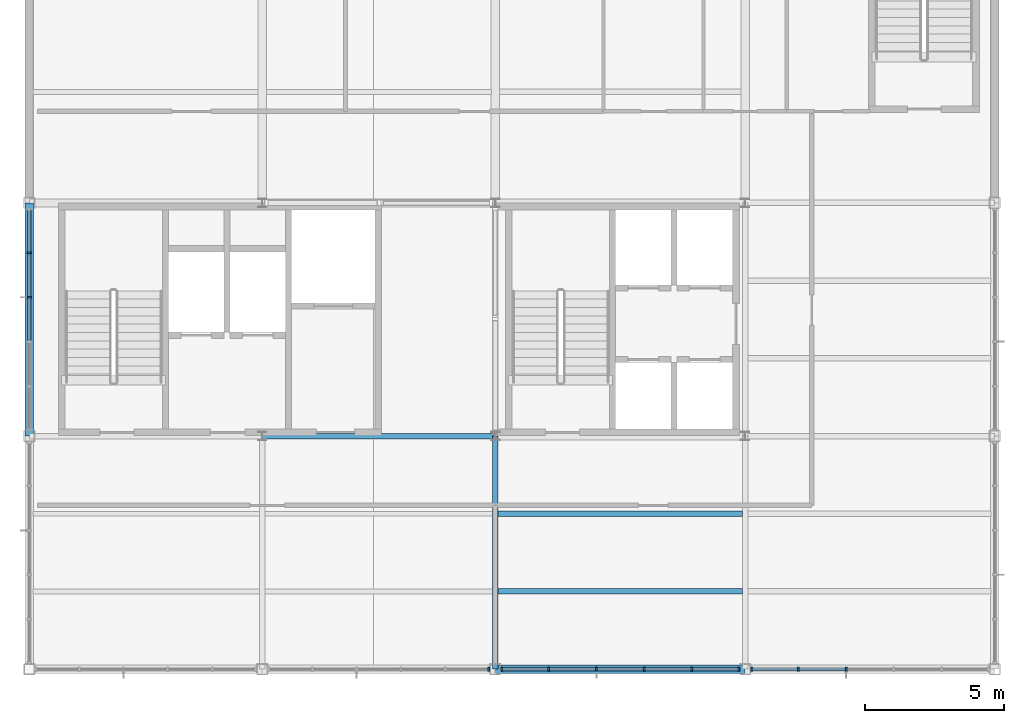
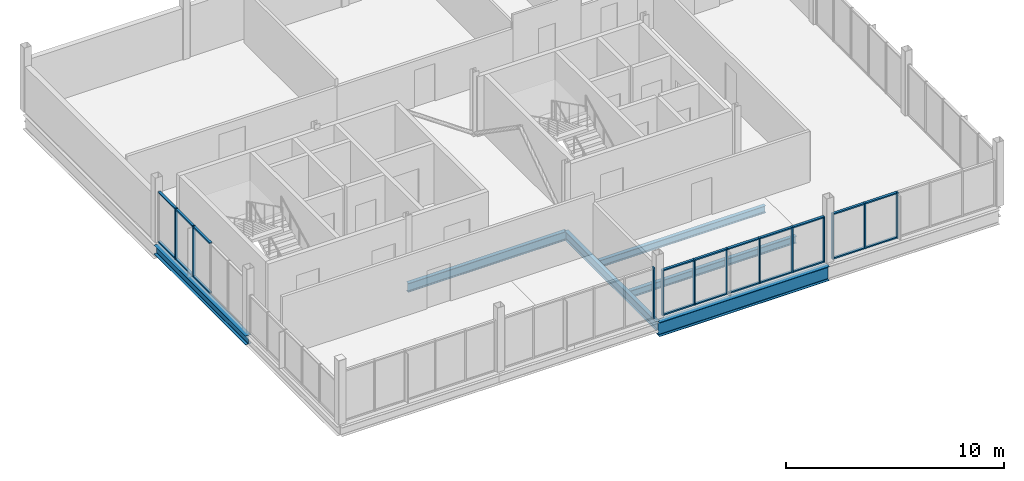
# One storey, part 5 of 15: 32 members, 6 beams, 4 elements without a shape of their own.
"""IFC4 building model written with IfcOpenShell, lengths in metres."""

from ifc_helpers import new_model, si_unit, direction, frame, origin, origin_2d, place, context, subcontext, project, spatial, rectangle, i_section, extrude, material, layer, layer_set, material_profile, profile_set, type_object, element, aggregate, save


model = new_model("IFC4")

# Units and contexts
model_context = context("Model", 3, precision=1e-05, world=origin(), true_north=direction((0.0, 1.0)))
body_context = subcontext(model_context, "Body", "Model", "MODEL_VIEW")
ifc_project = project(units=[si_unit("LENGTHUNIT", "METRE"), si_unit("AREAUNIT", "SQUARE_METRE"), si_unit("VOLUMEUNIT", "CUBIC_METRE"), si_unit("PLANEANGLEUNIT", "RADIAN"), si_unit("MASSUNIT", "GRAM", prefix="KILO")], contexts=[model_context])

# Site, building, storey
site_placement = place(None, origin())
site = spatial("IfcSite", under=ifc_project, at=site_placement, CompositionType="ELEMENT")
building_placement = place(site_placement, origin())
building = spatial("IfcBuilding", under=site, at=building_placement, Name="Yukiwa Park Conservatory and Herbarium", CompositionType="ELEMENT")
storey_placement = place(building_placement, frame((0.0, 0.0, 54.0)))
storey = spatial("IfcBuildingStorey", under=building, at=storey_placement, Name="L14", CompositionType="ELEMENT", Elevation=54.0)

# Beams
ifc_material_1 = material(Name="Steel Q355D", Category="steel")
ifc_material_profile_1 = material_profile(ifc_material_1, i_section(OverallWidth=0.198974609375, OverallDepth=0.49609375, WebThickness=0.009033203125, FlangeThickness=0.013916015625, FilletRadius=0.02001953125, at=origin_2d()), Name="HN 496x199x9x14")
ifc_profile_set_1 = profile_set([ifc_material_profile_1], Name="Steel Q355D")
beam_type_1 = type_object("IfcBeamType", Name="BM-GRD-HN496", PredefinedType="BEAM", material=ifc_profile_set_1)
beam_1_placement = place(storey_placement, frame((141.60595703125, 94.800048828125, -0.501953125), z_axis=(1.0, 0.0, 0.0), x_axis=(0.0, 1.0, 0.0)))
element("IfcBeam", 1, at=beam_1_placement, inside=storey, type_object=beam_type_1, Name="L14 grid beam X-6", PredefinedType="BEAM", context=body_context, shape_type="SweptSolid", body=[
    extrude(i_section(OverallWidth=0.198974609375, OverallDepth=0.49609375, WebThickness=0.009033203125, FlangeThickness=0.013916015625, FilletRadius=0.02001953125, at=origin_2d()), origin(), (0.0, 0.0, 1.0), 8.387939453125),
])
ifc_material_2 = material(Name="Steel Q355D", Category="steel")
ifc_material_profile_2 = material_profile(ifc_material_2, i_section(OverallWidth=0.199951171875, OverallDepth=0.5, WebThickness=0.010009765625, FlangeThickness=0.01611328125, FilletRadius=0.02001953125, at=origin_2d()), Name="HN 500x200x10x16")
ifc_profile_set_2 = profile_set([ifc_material_profile_2], Name="Steel Q355D")
beam_type_2 = type_object("IfcBeamType", Name="BM-GRD-HN500", PredefinedType="BEAM", material=ifc_profile_set_2)
beam_2_placement = place(storey_placement, frame((150.0, 86.406005859375, -0.50390625), z_axis=(0.0, 1.0, 0.0), x_axis=(-1.0, 0.0, 0.0)))
element("IfcBeam", 2, at=beam_2_placement, inside=storey, type_object=beam_type_2, Name="L14 grid girder Y-22", PredefinedType="BEAM", context=body_context, shape_type="SweptSolid", body=[
    extrude(i_section(OverallWidth=0.199951171875, OverallDepth=0.5, WebThickness=0.010009765625, FlangeThickness=0.01611328125, FilletRadius=0.02001953125, at=origin_2d()), origin(), (0.0, 0.0, 1.0), 8.387939453125),
])
ifc_material_3 = material(Name="Steel Q355D", Category="steel")
ifc_material_profile_3 = material_profile(ifc_material_3, i_section(OverallWidth=0.198974609375, OverallDepth=0.39599609375, WebThickness=0.007080078125, FlangeThickness=0.010986328125, FilletRadius=0.01611328125, at=origin_2d()), Name="HN 396x199x7x11")
ifc_profile_set_3 = profile_set([ifc_material_profile_3], Name="Steel Q355D")
beam_type_3 = type_object("IfcBeamType", Name="BM-JST-HN396", PredefinedType="JOIST", material=ifc_profile_set_3)
for number, where, z_axis, x_axis, name in (
    (3, (150.095947265625, 89.199951171875, -0.451904296875), (1.0, 0.0, 0.0), (0.0, 1.0, 0.0), "L14 composite floor joist 9"),
    (4, (150.095947265625, 92.0, -0.451904296875), (1.0, 0.0, 0.0), (0.0, 1.0, 0.0), "L14 composite floor joist 10"),
):
    element("IfcBeam", number, at=place(storey_placement, frame(where, z_axis=z_axis, x_axis=x_axis)), inside=storey, type_object=beam_type_3, Name=name, PredefinedType="JOIST", context=body_context, shape_type="SweptSolid", body=[
        extrude(i_section(OverallWidth=0.198974609375, OverallDepth=0.39599609375, WebThickness=0.007080078125, FlangeThickness=0.010986328125, FilletRadius=0.01611328125, at=origin_2d()), origin(), (0.0, 0.0, 1.0), 8.80810546875),
    ])
ifc_material_4 = material(Name="Steel Q355D", Category="steel")
ifc_material_profile_4 = material_profile(ifc_material_4, i_section(OverallWidth=0.300048828125, OverallDepth=0.5, WebThickness=0.010986328125, FlangeThickness=0.01806640625, FilletRadius=0.02392578125, at=origin_2d()), Name="HM 500x300x11x18")
ifc_profile_set_4 = profile_set([ifc_material_profile_4], Name="Steel Q355D")
beam_type_4 = type_object("IfcBeamType", Name="BM-SPN-HN500", PredefinedType="SPANDREL", material=ifc_profile_set_4)
beam_3_placement = place(storey_placement, frame((133.199951171875, 94.805908203125, -0.50390625), z_axis=(0.0, 1.0, 0.0), x_axis=(-1.0, 0.0, 0.0)))
element("IfcBeam", 5, at=beam_3_placement, inside=storey, type_object=beam_type_4, Name="L14 spandrel girder Y-18", PredefinedType="SPANDREL", context=body_context, shape_type="SweptSolid", body=[
    extrude(i_section(OverallWidth=0.300048828125, OverallDepth=0.5, WebThickness=0.010986328125, FlangeThickness=0.01806640625, FilletRadius=0.02392578125, at=origin_2d()), origin(), (0.0, 0.0, 1.0), 8.38818359375),
])
ifc_material_5 = material(Name="Steel Q355D", Category="steel")
ifc_material_profile_5 = material_profile(ifc_material_5, i_section(OverallWidth=0.300048828125, OverallDepth=0.7919921875, WebThickness=0.013916015625, FlangeThickness=0.02197265625, FilletRadius=0.028076171875, at=origin_2d()), Name="HN 792x300x14x22")
ifc_profile_set_5 = profile_set([ifc_material_profile_5], Name="Steel Q355D")
beam_type_5 = type_object("IfcBeamType", Name="BM-SPN-HN600", PredefinedType="SPANDREL", material=ifc_profile_set_5)
beam_4_placement = place(storey_placement, frame((150.006103515625, 86.39990234375, -0.64990234375), z_axis=(1.0, 0.0, 0.0), x_axis=(0.0, 1.0, 0.0)))
element("IfcBeam", 6, at=beam_4_placement, inside=storey, type_object=beam_type_5, Name="L14 spandrel beam X-3", PredefinedType="SPANDREL", context=body_context, shape_type="SweptSolid", body=[
    extrude(i_section(OverallWidth=0.300048828125, OverallDepth=0.7919921875, WebThickness=0.013916015625, FlangeThickness=0.02197265625, FilletRadius=0.028076171875, at=origin_2d()), origin(), (0.0, 0.0, 1.0), 8.98779296875),
])

# Curtain wall, members
ifc_material_6 = material(Name="Triple Low-E Insulated Glass", Category="glass")
ifc_layer = layer(ifc_material_6, 0.27197265625)
ifc_layer_set = layer_set([ifc_layer], Name="Triple Low-E Insulated Glass")
curtain_wall_type = type_object("IfcCurtainWallType", Name="CW-TOWER-LIB-1600", PredefinedType="NOTDEFINED", material=ifc_layer_set)
curtain_wall_1_placement = place(storey_placement, origin())
curtain_wall_1 = element("IfcCurtainWall", 7, at=curtain_wall_1_placement, inside=storey, type_object=curtain_wall_type, Name="L14 unitised curtain wall CW-L14-135", PredefinedType="NOTDEFINED")
ifc_material_7 = material(Name="Anodised Aluminium", Category="aluminium")
member_type_1 = type_object("IfcMemberType", Name="MB-CW-MUL-70X150", PredefinedType="MULLION", material=ifc_material_7)
member_1_placement = place(storey_placement, frame((133.199951171875, 101.39990234375, 0.0), z_axis=(0.0, 0.0, 1.0), x_axis=(0.0, -1.0, 0.0)))
member_1 = element("IfcMember", 8, at=member_1_placement, type_object=member_type_1, Name="CW-L14-135 mullion 2", PredefinedType="MULLION", context=body_context, shape_type="SweptSolid", body=[
    extrude(rectangle(XDim=0.070068359375, YDim=0.14990234375, at=origin_2d()), origin(), (0.0, 0.0, 1.0), 2.843994140625),
])
member_2_placement = place(storey_placement, frame((133.199951171875, 99.800048828125, 0.0), z_axis=(0.0, 0.0, 1.0), x_axis=(0.0, -1.0, 0.0)))
member_2 = element("IfcMember", 9, at=member_2_placement, type_object=member_type_1, Name="CW-L14-135 mullion 3", PredefinedType="MULLION", context=body_context, shape_type="SweptSolid", body=[
    extrude(rectangle(XDim=0.070068359375, YDim=0.14990234375, at=origin_2d()), origin(), (0.0, 0.0, 1.0), 2.843994140625),
])

# Curtain wall, member
curtain_wall_2_placement = place(storey_placement, origin())
curtain_wall_2 = element("IfcCurtainWall", 10, at=curtain_wall_2_placement, inside=storey, type_object=curtain_wall_type, Name="L14 unitised curtain wall CW-L14-138", PredefinedType="NOTDEFINED")
member_3_placement = place(storey_placement, frame((149.764892578125, 86.39990234375, 0.0), z_axis=(0.0, 0.0, 1.0), x_axis=(1.0, 0.0, 0.0)))
member_3 = element("IfcMember", 11, at=member_3_placement, type_object=member_type_1, Name="CW-L14-138 mullion 6", PredefinedType="MULLION", context=body_context, shape_type="SweptSolid", body=[
    extrude(rectangle(XDim=0.070068359375, YDim=0.14990234375, at=origin_2d()), origin(), (0.0, 0.0, 1.0), 2.843994140625),
])
aggregate(curtain_wall_2, [member_3])

# Curtain wall, members
curtain_wall_3_placement = place(storey_placement, origin())
curtain_wall_3 = element("IfcCurtainWall", 12, at=curtain_wall_3_placement, inside=storey, type_object=curtain_wall_type, Name="L14 unitised curtain wall CW-L14-139", PredefinedType="NOTDEFINED")
member_4_placement = place(storey_placement, frame((150.235107421875, 86.39990234375, 0.0), z_axis=(0.0, 0.0, 1.0), x_axis=(1.0, 0.0, 0.0)))
member_4 = element("IfcMember", 13, at=member_4_placement, type_object=member_type_1, Name="CW-L14-139 mullion 1", PredefinedType="MULLION", context=body_context, shape_type="SweptSolid", body=[
    extrude(rectangle(XDim=0.070068359375, YDim=0.14990234375, at=origin_2d()), origin(), (0.0, 0.0, 1.0), 2.552001953125),
])
member_5_placement = place(storey_placement, frame((151.919921875, 86.39990234375, 0.0), z_axis=(0.0, 0.0, 1.0), x_axis=(1.0, 0.0, 0.0)))
member_5 = element("IfcMember", 14, at=member_5_placement, type_object=member_type_1, Name="CW-L14-139 mullion 2", PredefinedType="MULLION", context=body_context, shape_type="SweptSolid", body=[
    extrude(rectangle(XDim=0.070068359375, YDim=0.14990234375, at=origin_2d()), origin(), (0.0, 0.0, 1.0), 2.552001953125),
])
member_6_placement = place(storey_placement, frame((153.639892578125, 86.39990234375, 0.0), z_axis=(0.0, 0.0, 1.0), x_axis=(1.0, 0.0, 0.0)))
member_6 = element("IfcMember", 15, at=member_6_placement, type_object=member_type_1, Name="CW-L14-139 mullion 3", PredefinedType="MULLION", context=body_context, shape_type="SweptSolid", body=[
    extrude(rectangle(XDim=0.070068359375, YDim=0.14990234375, at=origin_2d()), origin(), (0.0, 0.0, 1.0), 2.552001953125),
])
member_7_placement = place(storey_placement, frame((155.360107421875, 86.39990234375, 0.0), z_axis=(0.0, 0.0, 1.0), x_axis=(1.0, 0.0, 0.0)))
member_7 = element("IfcMember", 16, at=member_7_placement, type_object=member_type_1, Name="CW-L14-139 mullion 4", PredefinedType="MULLION", context=body_context, shape_type="SweptSolid", body=[
    extrude(rectangle(XDim=0.070068359375, YDim=0.14990234375, at=origin_2d()), origin(), (0.0, 0.0, 1.0), 2.552001953125),
])
member_8_placement = place(storey_placement, frame((157.080078125, 86.39990234375, 0.0), z_axis=(0.0, 0.0, 1.0), x_axis=(1.0, 0.0, 0.0)))
member_8 = element("IfcMember", 17, at=member_8_placement, type_object=member_type_1, Name="CW-L14-139 mullion 5", PredefinedType="MULLION", context=body_context, shape_type="SweptSolid", body=[
    extrude(rectangle(XDim=0.070068359375, YDim=0.14990234375, at=origin_2d()), origin(), (0.0, 0.0, 1.0), 2.552001953125),
])
member_9_placement = place(storey_placement, frame((158.764892578125, 86.39990234375, 0.0), z_axis=(0.0, 0.0, 1.0), x_axis=(1.0, 0.0, 0.0)))
member_9 = element("IfcMember", 18, at=member_9_placement, type_object=member_type_1, Name="CW-L14-139 mullion 6", PredefinedType="MULLION", context=body_context, shape_type="SweptSolid", body=[
    extrude(rectangle(XDim=0.070068359375, YDim=0.14990234375, at=origin_2d()), origin(), (0.0, 0.0, 1.0), 2.552001953125),
])

curtain_wall_4_placement = place(storey_placement, origin())
curtain_wall_4 = element("IfcCurtainWall", 19, at=curtain_wall_4_placement, inside=storey, type_object=curtain_wall_type, Name="L14 unitised curtain wall CW-L14-140", PredefinedType="NOTDEFINED")
member_10_placement = place(storey_placement, frame((159.235107421875, 86.39990234375, 0.0), z_axis=(0.0, 0.0, 1.0), x_axis=(1.0, 0.0, 0.0)))
member_10 = element("IfcMember", 20, at=member_10_placement, type_object=member_type_1, Name="CW-L14-140 mullion 1", PredefinedType="MULLION", context=body_context, shape_type="SweptSolid", body=[
    extrude(rectangle(XDim=0.070068359375, YDim=0.14990234375, at=origin_2d()), origin(), (0.0, 0.0, 1.0), 2.552001953125),
])
member_11_placement = place(storey_placement, frame((160.919921875, 86.39990234375, 0.0), z_axis=(0.0, 0.0, 1.0), x_axis=(1.0, 0.0, 0.0)))
member_11 = element("IfcMember", 21, at=member_11_placement, type_object=member_type_1, Name="CW-L14-140 mullion 2", PredefinedType="MULLION", context=body_context, shape_type="SweptSolid", body=[
    extrude(rectangle(XDim=0.070068359375, YDim=0.14990234375, at=origin_2d()), origin(), (0.0, 0.0, 1.0), 2.552001953125),
])
member_12_placement = place(storey_placement, frame((162.639892578125, 86.39990234375, 0.0), z_axis=(0.0, 0.0, 1.0), x_axis=(1.0, 0.0, 0.0)))
member_12 = element("IfcMember", 22, at=member_12_placement, type_object=member_type_1, Name="CW-L14-140 mullion 3", PredefinedType="MULLION", context=body_context, shape_type="SweptSolid", body=[
    extrude(rectangle(XDim=0.070068359375, YDim=0.14990234375, at=origin_2d()), origin(), (0.0, 0.0, 1.0), 2.552001953125),
])

# Member
ifc_material_8 = material(Name="Anodised Aluminium", Category="aluminium")
member_type_2 = type_object("IfcMemberType", Name="MB-CW-TRN-70X130", PredefinedType="USERDEFINED", material=ifc_material_8)
member_13_placement = place(storey_placement, frame((133.199951171875, 102.199951171875, 0.0), z_axis=(0.0, 0.0, 1.0), x_axis=(0.0, -1.0, 0.0)))
member_13 = element("IfcMember", 23, at=member_13_placement, type_object=member_type_2, Name="CW-L14-135 transom 1.1", ObjectType="TRANSOM", PredefinedType="USERDEFINED", context=body_context, shape_type="SweptSolid", body=[
    extrude(rectangle(XDim=1.530029296875, YDim=0.1298828125, at=origin_2d()), origin(), (0.0, 0.0, 1.0), 0.070068359375),
])

member_14_placement = place(storey_placement, frame((133.199951171875, 102.199951171875, 2.77392578125), z_axis=(0.0, 0.0, 1.0), x_axis=(0.0, -1.0, 0.0)))
member_14 = element("IfcMember", 24, at=member_14_placement, type_object=member_type_2, Name="CW-L14-135 transom 1.2", ObjectType="TRANSOM", PredefinedType="USERDEFINED", context=body_context, shape_type="SweptSolid", body=[
    extrude(rectangle(XDim=1.530029296875, YDim=0.1298828125, at=origin_2d()), origin(), (0.0, 0.0, 1.0), 0.070068359375),
])

member_15_placement = place(storey_placement, frame((133.199951171875, 100.60009765625, 0.0), z_axis=(0.0, 0.0, 1.0), x_axis=(0.0, -1.0, 0.0)))
member_15 = element("IfcMember", 25, at=member_15_placement, type_object=member_type_2, Name="CW-L14-135 transom 2.1", ObjectType="TRANSOM", PredefinedType="USERDEFINED", context=body_context, shape_type="SweptSolid", body=[
    extrude(rectangle(XDim=1.530029296875, YDim=0.1298828125, at=origin_2d()), origin(), (0.0, 0.0, 1.0), 0.070068359375),
])

member_16_placement = place(storey_placement, frame((133.199951171875, 100.60009765625, 2.77392578125), z_axis=(0.0, 0.0, 1.0), x_axis=(0.0, -1.0, 0.0)))
member_16 = element("IfcMember", 26, at=member_16_placement, type_object=member_type_2, Name="CW-L14-135 transom 2.2", ObjectType="TRANSOM", PredefinedType="USERDEFINED", context=body_context, shape_type="SweptSolid", body=[
    extrude(rectangle(XDim=1.530029296875, YDim=0.1298828125, at=origin_2d()), origin(), (0.0, 0.0, 1.0), 0.070068359375),
])

member_17_placement = place(storey_placement, frame((133.199951171875, 99.0, 0.0), z_axis=(0.0, 0.0, 1.0), x_axis=(0.0, -1.0, 0.0)))
member_17 = element("IfcMember", 27, at=member_17_placement, type_object=member_type_2, Name="CW-L14-135 transom 3.1", ObjectType="TRANSOM", PredefinedType="USERDEFINED", context=body_context, shape_type="SweptSolid", body=[
    extrude(rectangle(XDim=1.530029296875, YDim=0.1298828125, at=origin_2d()), origin(), (0.0, 0.0, 1.0), 0.070068359375),
])

member_18_placement = place(storey_placement, frame((133.199951171875, 99.0, 2.77392578125), z_axis=(0.0, 0.0, 1.0), x_axis=(0.0, -1.0, 0.0)))
member_18 = element("IfcMember", 28, at=member_18_placement, type_object=member_type_2, Name="CW-L14-135 transom 3.2", ObjectType="TRANSOM", PredefinedType="USERDEFINED", context=body_context, shape_type="SweptSolid", body=[
    extrude(rectangle(XDim=1.530029296875, YDim=0.1298828125, at=origin_2d()), origin(), (0.0, 0.0, 1.0), 0.070068359375),
])

aggregate(curtain_wall_1, [member_1, member_2, member_13, member_14, member_15, member_16, member_17, member_18])

member_19_placement = place(storey_placement, frame((151.06005859375, 86.39990234375, 0.0), z_axis=(0.0, 0.0, 1.0), x_axis=(1.0, 0.0, 0.0)))
member_19 = element("IfcMember", 29, at=member_19_placement, type_object=member_type_2, Name="CW-L14-139 transom 1.1", ObjectType="TRANSOM", PredefinedType="USERDEFINED", context=body_context, shape_type="SweptSolid", body=[
    extrude(rectangle(XDim=1.64990234375, YDim=0.1298828125, at=origin_2d()), origin(), (0.0, 0.0, 1.0), 0.070068359375),
])

member_20_placement = place(storey_placement, frame((151.06005859375, 86.39990234375, 2.48193359375), z_axis=(0.0, 0.0, 1.0), x_axis=(1.0, 0.0, 0.0)))
member_20 = element("IfcMember", 30, at=member_20_placement, type_object=member_type_2, Name="CW-L14-139 transom 1.2", ObjectType="TRANSOM", PredefinedType="USERDEFINED", context=body_context, shape_type="SweptSolid", body=[
    extrude(rectangle(XDim=1.64990234375, YDim=0.1298828125, at=origin_2d()), origin(), (0.0, 0.0, 1.0), 0.070068359375),
])

member_21_placement = place(storey_placement, frame((152.780029296875, 86.39990234375, 0.0), z_axis=(0.0, 0.0, 1.0), x_axis=(1.0, 0.0, 0.0)))
member_21 = element("IfcMember", 31, at=member_21_placement, type_object=member_type_2, Name="CW-L14-139 transom 2.1", ObjectType="TRANSOM", PredefinedType="USERDEFINED", context=body_context, shape_type="SweptSolid", body=[
    extrude(rectangle(XDim=1.64990234375, YDim=0.1298828125, at=origin_2d()), origin(), (0.0, 0.0, 1.0), 0.070068359375),
])

member_22_placement = place(storey_placement, frame((152.780029296875, 86.39990234375, 2.48193359375), z_axis=(0.0, 0.0, 1.0), x_axis=(1.0, 0.0, 0.0)))
member_22 = element("IfcMember", 32, at=member_22_placement, type_object=member_type_2, Name="CW-L14-139 transom 2.2", ObjectType="TRANSOM", PredefinedType="USERDEFINED", context=body_context, shape_type="SweptSolid", body=[
    extrude(rectangle(XDim=1.64990234375, YDim=0.1298828125, at=origin_2d()), origin(), (0.0, 0.0, 1.0), 0.070068359375),
])

member_23_placement = place(storey_placement, frame((154.5, 86.39990234375, 0.0), z_axis=(0.0, 0.0, 1.0), x_axis=(1.0, 0.0, 0.0)))
member_23 = element("IfcMember", 33, at=member_23_placement, type_object=member_type_2, Name="CW-L14-139 transom 3.1", ObjectType="TRANSOM", PredefinedType="USERDEFINED", context=body_context, shape_type="SweptSolid", body=[
    extrude(rectangle(XDim=1.64990234375, YDim=0.1298828125, at=origin_2d()), origin(), (0.0, 0.0, 1.0), 0.070068359375),
])

member_24_placement = place(storey_placement, frame((154.5, 86.39990234375, 2.48193359375), z_axis=(0.0, 0.0, 1.0), x_axis=(1.0, 0.0, 0.0)))
member_24 = element("IfcMember", 34, at=member_24_placement, type_object=member_type_2, Name="CW-L14-139 transom 3.2", ObjectType="TRANSOM", PredefinedType="USERDEFINED", context=body_context, shape_type="SweptSolid", body=[
    extrude(rectangle(XDim=1.64990234375, YDim=0.1298828125, at=origin_2d()), origin(), (0.0, 0.0, 1.0), 0.070068359375),
])

member_25_placement = place(storey_placement, frame((156.219970703125, 86.39990234375, 0.0), z_axis=(0.0, 0.0, 1.0), x_axis=(1.0, 0.0, 0.0)))
member_25 = element("IfcMember", 35, at=member_25_placement, type_object=member_type_2, Name="CW-L14-139 transom 4.1", ObjectType="TRANSOM", PredefinedType="USERDEFINED", context=body_context, shape_type="SweptSolid", body=[
    extrude(rectangle(XDim=1.64990234375, YDim=0.1298828125, at=origin_2d()), origin(), (0.0, 0.0, 1.0), 0.070068359375),
])

member_26_placement = place(storey_placement, frame((156.219970703125, 86.39990234375, 2.48193359375), z_axis=(0.0, 0.0, 1.0), x_axis=(1.0, 0.0, 0.0)))
member_26 = element("IfcMember", 36, at=member_26_placement, type_object=member_type_2, Name="CW-L14-139 transom 4.2", ObjectType="TRANSOM", PredefinedType="USERDEFINED", context=body_context, shape_type="SweptSolid", body=[
    extrude(rectangle(XDim=1.64990234375, YDim=0.1298828125, at=origin_2d()), origin(), (0.0, 0.0, 1.0), 0.070068359375),
])

member_27_placement = place(storey_placement, frame((157.93994140625, 86.39990234375, 0.0), z_axis=(0.0, 0.0, 1.0), x_axis=(1.0, 0.0, 0.0)))
member_27 = element("IfcMember", 37, at=member_27_placement, type_object=member_type_2, Name="CW-L14-139 transom 5.1", ObjectType="TRANSOM", PredefinedType="USERDEFINED", context=body_context, shape_type="SweptSolid", body=[
    extrude(rectangle(XDim=1.64990234375, YDim=0.1298828125, at=origin_2d()), origin(), (0.0, 0.0, 1.0), 0.070068359375),
])

member_28_placement = place(storey_placement, frame((157.93994140625, 86.39990234375, 2.48193359375), z_axis=(0.0, 0.0, 1.0), x_axis=(1.0, 0.0, 0.0)))
member_28 = element("IfcMember", 38, at=member_28_placement, type_object=member_type_2, Name="CW-L14-139 transom 5.2", ObjectType="TRANSOM", PredefinedType="USERDEFINED", context=body_context, shape_type="SweptSolid", body=[
    extrude(rectangle(XDim=1.64990234375, YDim=0.1298828125, at=origin_2d()), origin(), (0.0, 0.0, 1.0), 0.070068359375),
])

aggregate(curtain_wall_3, [member_4, member_5, member_6, member_7, member_8, member_9, member_19, member_20, member_21, member_22, member_23, member_24, member_25, member_26, member_27, member_28])

member_29_placement = place(storey_placement, frame((160.06005859375, 86.39990234375, 0.0), z_axis=(0.0, 0.0, 1.0), x_axis=(1.0, 0.0, 0.0)))
member_29 = element("IfcMember", 39, at=member_29_placement, type_object=member_type_2, Name="CW-L14-140 transom 1.1", ObjectType="TRANSOM", PredefinedType="USERDEFINED", context=body_context, shape_type="SweptSolid", body=[
    extrude(rectangle(XDim=1.64990234375, YDim=0.1298828125, at=origin_2d()), origin(), (0.0, 0.0, 1.0), 0.070068359375),
])

member_30_placement = place(storey_placement, frame((160.06005859375, 86.39990234375, 2.48193359375), z_axis=(0.0, 0.0, 1.0), x_axis=(1.0, 0.0, 0.0)))
member_30 = element("IfcMember", 40, at=member_30_placement, type_object=member_type_2, Name="CW-L14-140 transom 1.2", ObjectType="TRANSOM", PredefinedType="USERDEFINED", context=body_context, shape_type="SweptSolid", body=[
    extrude(rectangle(XDim=1.64990234375, YDim=0.1298828125, at=origin_2d()), origin(), (0.0, 0.0, 1.0), 0.070068359375),
])

member_31_placement = place(storey_placement, frame((161.780029296875, 86.39990234375, 0.0), z_axis=(0.0, 0.0, 1.0), x_axis=(1.0, 0.0, 0.0)))
member_31 = element("IfcMember", 41, at=member_31_placement, type_object=member_type_2, Name="CW-L14-140 transom 2.1", ObjectType="TRANSOM", PredefinedType="USERDEFINED", context=body_context, shape_type="SweptSolid", body=[
    extrude(rectangle(XDim=1.64990234375, YDim=0.1298828125, at=origin_2d()), origin(), (0.0, 0.0, 1.0), 0.070068359375),
])

member_32_placement = place(storey_placement, frame((161.780029296875, 86.39990234375, 2.48193359375), z_axis=(0.0, 0.0, 1.0), x_axis=(1.0, 0.0, 0.0)))
member_32 = element("IfcMember", 42, at=member_32_placement, type_object=member_type_2, Name="CW-L14-140 transom 2.2", ObjectType="TRANSOM", PredefinedType="USERDEFINED", context=body_context, shape_type="SweptSolid", body=[
    extrude(rectangle(XDim=1.64990234375, YDim=0.1298828125, at=origin_2d()), origin(), (0.0, 0.0, 1.0), 0.070068359375),
])

aggregate(curtain_wall_4, [member_10, member_11, member_12, member_29, member_30, member_31, member_32])

save(model, "model.ifc")
